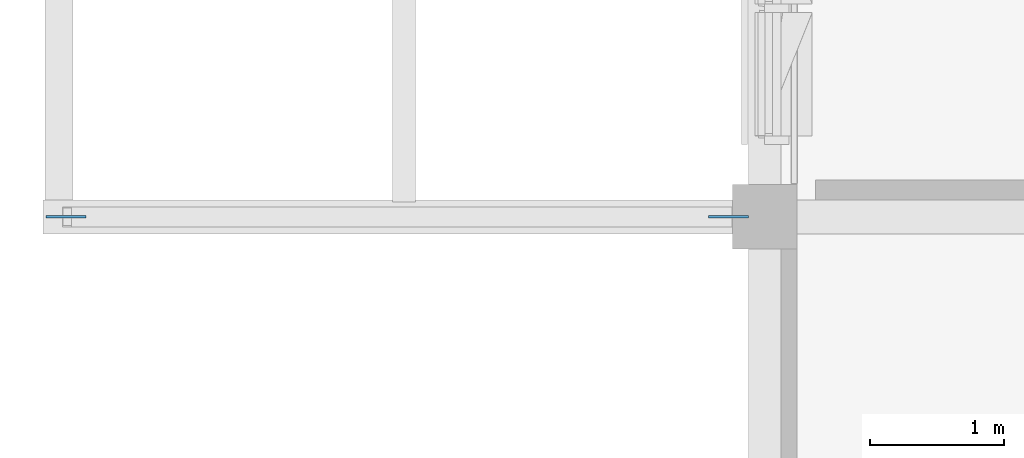
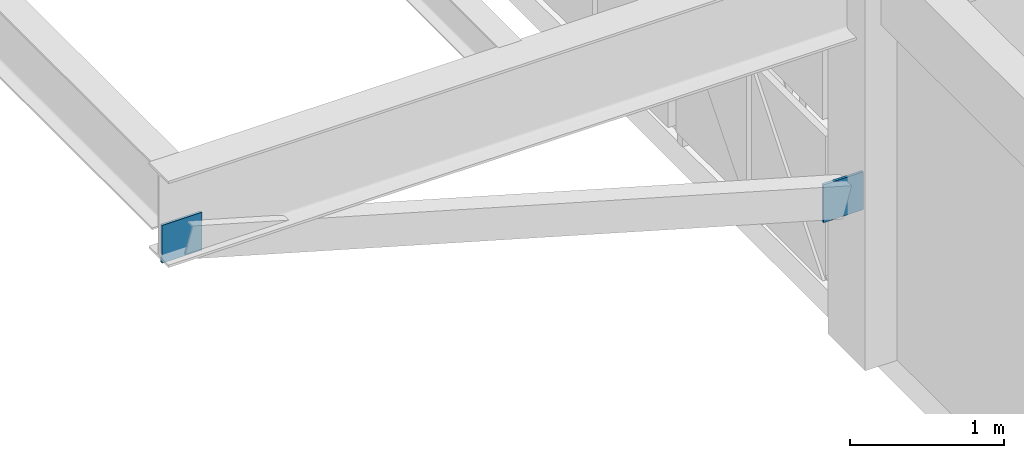
# One storey, part 16 of 30: 2 plates.
"""IFC4 building model written with IfcOpenShell, lengths in metres."""

import ifcopenshell
import ifcopenshell.guid

model = None  # the IFC model being written
_history = None  # IfcOwnerHistory: only IFC2X3 demands one
_inside = {}  # id of a spatial element -> (the spatial element, [elements in it])
_under = {}  # id of a project, library or spatial element -> (it, [spatial elements below it])
_declared = {}  # id of a project -> (the project, [libraries it declares])
_typed = {}  # id of a type object -> (the type object, [elements of that type])
_made_of = {}  # id of a material, layer set ... -> (it, [elements and type objects made of it])


def new_model(schema):
    """Start an empty IFC model of exactly this schema.

    Asked for "IFC4X3", IfcOpenShell would pick the latest addendum, in which some entities
    have other attributes; the version numbers below select the first issue.
    IFC2X3 requires an IfcOwnerHistory on every rooted entity: one is made here for all.
    """
    global model, _history
    if schema == "IFC4X3":
        model = ifcopenshell.file(schema_version=(4, 3, 0, 0))
    else:
        model = ifcopenshell.file(schema=schema)
    _inside.clear()
    _under.clear()
    _declared.clear()
    _typed.clear()
    _made_of.clear()
    _history = None
    if model.schema == "IFC2X3":
        org = make("IfcOrganization", Name="unknown")
        user = make(
            "IfcPersonAndOrganization",
            ThePerson=make("IfcPerson", FamilyName="unknown"),
            TheOrganization=org,
        )
        app = make(
            "IfcApplication",
            ApplicationDeveloper=org,
            Version="unknown",
            ApplicationFullName="unknown",
            ApplicationIdentifier="unknown",
        )
        _history = make(
            "IfcOwnerHistory",
            OwningUser=user,
            OwningApplication=app,
            ChangeAction="ADDED",
            CreationDate=0,
        )
    return model


def make(cls, **values):
    """One entity of the class cls with the attributes given. An attribute that is None is left unset."""
    return model.create_entity(
        cls, **{name: value for name, value in values.items() if value is not None}
    )


def rooted(cls, **values):
    """An entity with a GlobalId (a new one), such as an element, a storey or a relation."""
    return make(cls, GlobalId=ifcopenshell.guid.new(), OwnerHistory=_history, **values)


def si_unit(unit_type, name, prefix=None):
    """IfcSIUnit, for example si_unit("LENGTHUNIT", "METRE", prefix="MILLI")."""
    return make("IfcSIUnit", UnitType=unit_type, Prefix=prefix, Name=name)


def assignment(units):
    """IfcUnitAssignment: the units of a project."""
    return None if units is None else make("IfcUnitAssignment", Units=units)


def point(xyz):
    """IfcCartesianPoint."""
    return None if xyz is None else make("IfcCartesianPoint", Coordinates=xyz)


def direction(xyz):
    """IfcDirection."""
    return None if xyz is None else make("IfcDirection", DirectionRatios=xyz)


def frame(location, z_axis=None, x_axis=None):
    """IfcAxis2Placement3D, a coordinate frame: its origin and axes. An axis left out is left unset."""
    return make(
        "IfcAxis2Placement3D",
        Location=point(location),
        Axis=direction(z_axis),
        RefDirection=direction(x_axis),
    )


def origin():
    """The frame at (0, 0, 0) with its axes left unset."""
    return frame((0.0, 0.0, 0.0))


def place(relative_to, where):
    """IfcLocalPlacement: puts the frame where relative to a parent placement (None: the world)."""
    return make(
        "IfcLocalPlacement", PlacementRelTo=relative_to, RelativePlacement=where
    )


def context(
    kind, dimensions, precision=None, world=None, true_north=None, identifier=None
):
    """IfcGeometricRepresentationContext, for example the 3D "Model" context."""
    return make(
        "IfcGeometricRepresentationContext",
        ContextIdentifier=identifier,
        ContextType=kind,
        CoordinateSpaceDimension=dimensions,
        Precision=precision,
        WorldCoordinateSystem=world,
        TrueNorth=true_north,
    )


def subcontext(parent, identifier, kind, view, scale=None):
    """IfcGeometricRepresentationSubContext, for example "Body" below "Model"."""
    return make(
        "IfcGeometricRepresentationSubContext",
        ContextIdentifier=identifier,
        ContextType=kind,
        ParentContext=parent,
        TargetScale=scale,
        TargetView=view,
    )


def project(units=None, contexts=None):
    """IfcProject with its units and contexts."""
    return rooted(
        "IfcProject",
        Name="project",
        RepresentationContexts=contexts,
        UnitsInContext=assignment(units),
    )


def spatial(cls, under=None, at=None, **own):
    """A site, building, storey or space (cls), placed at a placement, below another one or the project."""
    s = rooted(cls, ObjectPlacement=at, **own)
    if under is not None:
        _under.setdefault(under.id(), (under, []))[1].append(s)
    return s


def polyline(points):
    """IfcPolyline through the points."""
    return make("IfcPolyline", Points=[point(p) for p in points])


def outline(outer, holes=None, kind="AREA"):
    """IfcArbitraryClosedProfileDef: a profile drawn as a closed curve; with holes, ...WithVoids."""
    if holes is None:
        return make("IfcArbitraryClosedProfileDef", ProfileType=kind, OuterCurve=outer)
    return make(
        "IfcArbitraryProfileDefWithVoids",
        ProfileType=kind,
        OuterCurve=outer,
        InnerCurves=holes,
    )


def extrude(swept, where, along, depth):
    """IfcExtrudedAreaSolid: the profile swept, set in the frame where, extruded along a direction by depth."""
    return make(
        "IfcExtrudedAreaSolid",
        SweptArea=swept,
        Position=where,
        ExtrudedDirection=direction(along),
        Depth=depth,
    )


def shape(context_of_items, identifier, shape_type, items):
    """IfcShapeRepresentation: the items that make up one representation, for example the "Body"."""
    return make(
        "IfcShapeRepresentation",
        ContextOfItems=context_of_items,
        RepresentationIdentifier=identifier,
        RepresentationType=shape_type,
        Items=items,
    )


def material(Name=None, Category=None):
    """IfcMaterial."""
    return make("IfcMaterial", Name=Name, Category=Category)


def layer(
    of_material, thickness, ventilated=None, Name=None, Category=None, Priority=None
):
    """IfcMaterialLayer: one layer of a wall or slab, of a material (None: an air gap)."""
    return make(
        "IfcMaterialLayer",
        Material=of_material,
        LayerThickness=thickness,
        IsVentilated=ventilated,
        Name=Name,
        Category=Category,
        Priority=Priority,
    )


def layer_set(layers, Name=None):
    """IfcMaterialLayerSet."""
    return make("IfcMaterialLayerSet", MaterialLayers=layers, LayerSetName=Name)


def made_of(thing, what):
    """Note that an element or type object is made of a material, layer set ...; save() writes the relation."""
    if what is not None:
        _made_of.setdefault(what.id(), (what, []))[1].append(thing)
    return thing


def type_object(cls, material=None, **own):
    """A type object (cls), such as IfcWallType, which elements share."""
    return made_of(rooted(cls, **own), material)


def element(
    cls,
    number,
    at=None,
    inside=None,
    cuts=None,
    type_object=None,
    material=None,
    context=None,
    identifier="Body",
    shape_type=None,
    held_by="IfcProductDefinitionShape",
    body=None,
    shapes=None,
    **own,
):
    """One element of the class cls, such as IfcWall. Its Tag is "e" and its number.

    at: its placement. inside: the storey or other place that contains it. cuts: it is an
    opening in that element (IfcRelVoidsElement). A single representation is given by context,
    identifier, shape_type and body (its items); several are given by shapes. held_by: the class
    of the entity that holds the representations. save() writes the other relations.
    """
    e = rooted(cls, Tag="e%d" % number, ObjectPlacement=at, **own)
    if body is not None:
        shapes = [shape(context, identifier, shape_type, body)]
    if shapes is not None:
        e.Representation = make(held_by, Representations=shapes)
    if inside is not None:
        _inside.setdefault(inside.id(), (inside, []))[1].append(e)
    if cuts is not None:
        rooted(
            "IfcRelVoidsElement", RelatingBuildingElement=cuts, RelatedOpeningElement=e
        )
    if type_object is not None:
        _typed.setdefault(type_object.id(), (type_object, []))[1].append(e)
    return made_of(e, material)


def aggregate(whole, parts):
    """IfcRelAggregates: a whole, such as a stair, and the parts it consists of."""
    return rooted("IfcRelAggregates", RelatingObject=whole, RelatedObjects=parts)


def save(model, path):
    """Write the relations noted so far, then the file.

    IfcRelAggregates (storeys below a building ...), IfcRelContainedInSpatialStructure (elements
    in a storey), IfcRelDefinesByType, IfcRelAssociatesMaterial and IfcRelDeclares: one each for
    every whole, place, type object, material and project.
    """
    for whole, parts in _under.values():
        aggregate(whole, parts)
    for where, things in _inside.values():
        rooted(
            "IfcRelContainedInSpatialStructure",
            RelatedElements=things,
            RelatingStructure=where,
        )
    for kind, things in _typed.values():
        rooted("IfcRelDefinesByType", RelatedObjects=things, RelatingType=kind)
    for what, things in _made_of.values():
        rooted("IfcRelAssociatesMaterial", RelatedObjects=things, RelatingMaterial=what)
    for by, libraries in _declared.values():
        rooted("IfcRelDeclares", RelatingContext=by, RelatedDefinitions=libraries)
    model.write(path)


model = new_model("IFC4")

# Units and contexts
model_context = context("Model", 3, precision=1e-05, world=origin(), true_north=direction((0.0, 1.0)))
body_context = subcontext(model_context, "Body", "Model", "MODEL_VIEW")
ifc_project = project(units=[si_unit("LENGTHUNIT", "METRE"), si_unit("AREAUNIT", "SQUARE_METRE"), si_unit("VOLUMEUNIT", "CUBIC_METRE"), si_unit("PLANEANGLEUNIT", "RADIAN"), si_unit("MASSUNIT", "GRAM", prefix="KILO")], contexts=[model_context])

# Site, building, storey
site_placement = place(None, origin())
site = spatial("IfcSite", under=ifc_project, at=site_placement, CompositionType="ELEMENT")
building_placement = place(site_placement, origin())
building = spatial("IfcBuilding", under=site, at=building_placement, Name="Alvorim Cloister Faculty of Sciences", CompositionType="ELEMENT")
storey_placement = place(building_placement, frame((0.0, 0.0, 26.25)))
storey = spatial("IfcBuildingStorey", under=building, at=storey_placement, Name="L07", CompositionType="ELEMENT", Elevation=26.25)

# Plates
ifc_material = material(Name="Steel ASTM A572 Grade 50", Category="steel")
ifc_layer = layer(ifc_material, 0.02001953125)
ifc_layer_set = layer_set([ifc_layer], Name="Steel ASTM A572 Grade 50")
plate_type = type_object("IfcPlateType", Name="PL-GUS-20", PredefinedType="SHEET", material=ifc_layer_set)
for number, where, z_axis, x_axis, name in (
    (1, (7.07958984375, 21.60009765625, 1.09716796875), (0.0, 0.0, 1.0), (-1.0, 0.0, 0.0), "Hollow Steel End Plate ND-06"),
    (2, (2.120361328125, 21.60009765625, 2.5126953125), (0.0, 0.0, 1.0), (-1.0, 0.0, 0.0), "Hollow Steel End Plate ND-06"),
):
    element("IfcPlate", number, at=place(storey_placement, frame(where, z_axis=z_axis, x_axis=x_axis)), inside=storey, type_object=plate_type, Name=name, PredefinedType="SHEET", context=body_context, shape_type="SweptSolid", body=[
        extrude(outline(polyline([(0.0, 0.0), (0.300048828125, 0.0), (0.300048828125, 0.300048828125), (0.0, 0.300048828125), (0.0, 0.0)])), frame((0.0, 0.010009765625, 0.0), z_axis=(0.0, -1.0, 0.0), x_axis=(1.0, 0.0, 0.0)), (0.0, 0.0, 1.0), 0.02001953125),
    ])

save(model, "model.ifc")
